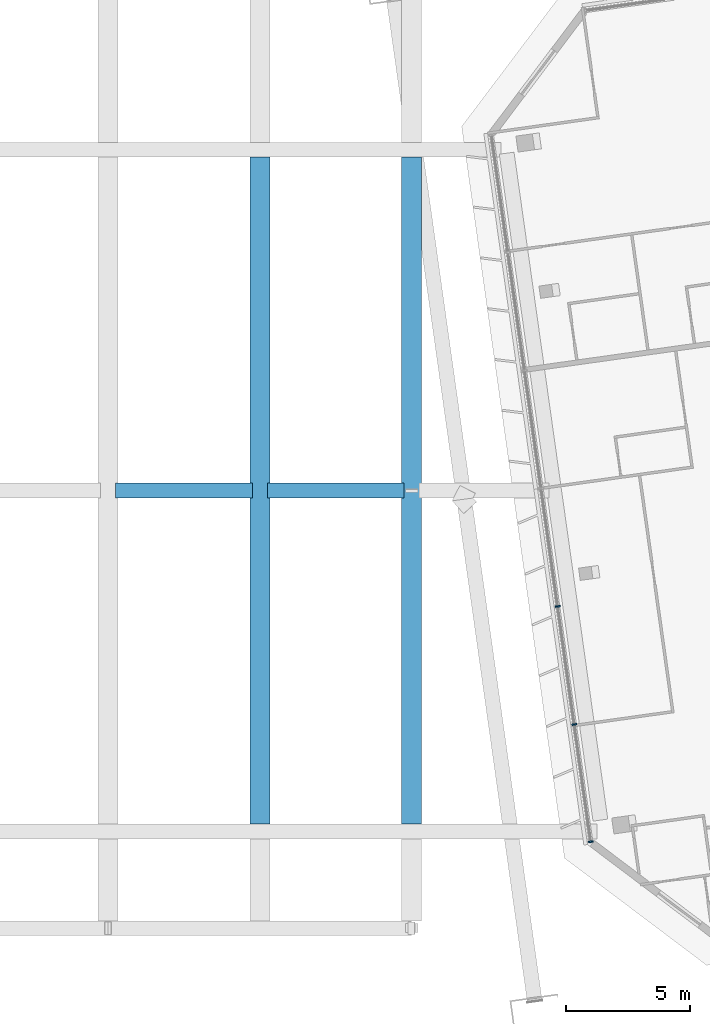
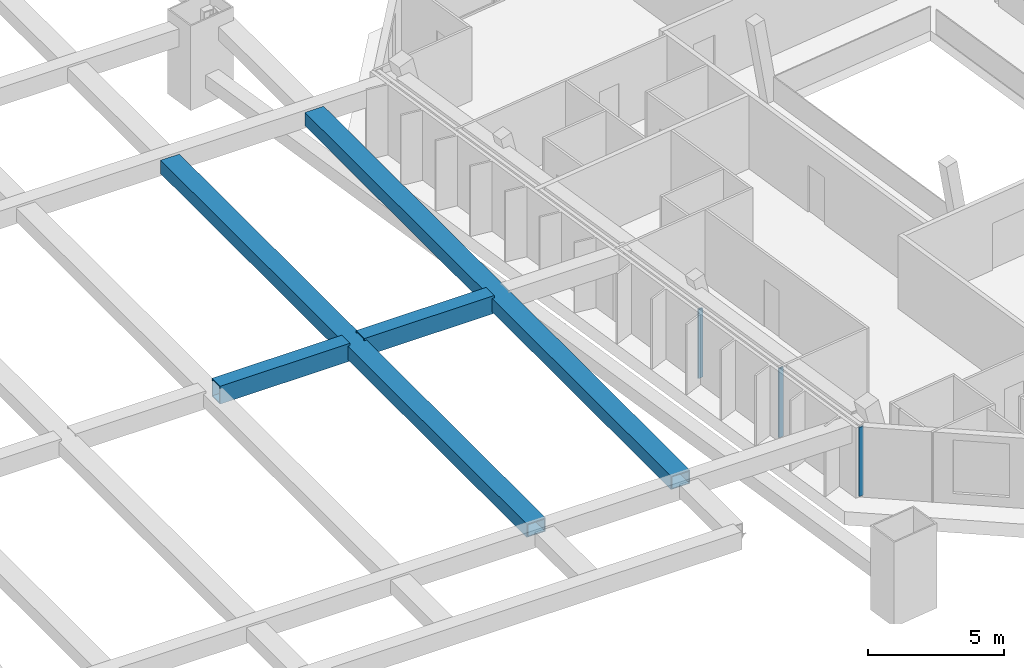
# One storey, part 12 of 36: 7 members, 1 element without a shape of its own.
"""IFC4 building model written with IfcOpenShell, lengths in metres."""

from ifc_helpers import new_model, si_unit, direction, frame, origin, origin_2d, place, context, subcontext, project, spatial, rectangle, hollow_rectangle, extrude, material, material_profile, profile_set, type_object, element, aggregate, save


model = new_model("IFC4")

# Units and contexts
model_context = context("Model", 3, precision=1e-05, world=origin(), true_north=direction((0.0, 1.0)))
body_context = subcontext(model_context, "Body", "Model", "MODEL_VIEW")
ifc_project = project(units=[si_unit("LENGTHUNIT", "METRE"), si_unit("AREAUNIT", "SQUARE_METRE"), si_unit("VOLUMEUNIT", "CUBIC_METRE"), si_unit("PLANEANGLEUNIT", "RADIAN"), si_unit("MASSUNIT", "GRAM", prefix="KILO")], contexts=[model_context])

# Site, building, storey
site_placement = place(None, origin())
site = spatial("IfcSite", under=ifc_project, at=site_placement, CompositionType="ELEMENT")
building_placement = place(site_placement, origin())
building = spatial("IfcBuilding", under=site, at=building_placement, Name="Mirante Cascada Hotel Towers", CompositionType="ELEMENT")
storey_placement = place(building_placement, frame((0.0, 0.0, 254.6)))
storey = spatial("IfcBuildingStorey", under=building, at=storey_placement, Name="L61", CompositionType="ELEMENT", Elevation=254.6)

# Members
ifc_material_1 = material(Name="Steel ASTM A572 Gr 50", Category="steel")
ifc_material_profile_1 = material_profile(ifc_material_1, hollow_rectangle(XDim=0.6, YDim=0.8, WallThickness=0.04, at=origin_2d()), Name="Box chord 800x600x40 ASTM A572 Gr 50")
ifc_profile_set_1 = profile_set([ifc_material_profile_1], Name="Steel ASTM A572 Gr 50")
member_type_1 = type_object("IfcMemberType", Name="Box chord 800x600x40 ASTM A572 Gr 50", PredefinedType="CHORD", material=ifc_profile_set_1)
for number, where, z_axis, x_axis, name in (
    (1, (6.1257, -17.3153, 2.9), (0.0, 1.0, 0.0), (0.0, 0.0, 1.0), "dchord sky park L62 14"),
    (2, (12.2514, -17.3153, 2.9), (0.0, 1.0, 0.0), (0.0, 0.0, 1.0), "dchord sky park L62 18"),
):
    element("IfcMember", number, at=place(storey_placement, frame(where, z_axis=z_axis, x_axis=x_axis)), inside=storey, type_object=member_type_1, Name=name, PredefinedType="CHORD", context=body_context, shape_type="SweptSolid", body=[
        extrude(hollow_rectangle(XDim=0.6, YDim=0.8, WallThickness=0.04, at=origin_2d()), origin(), (0.0, 0.0, 1.0), 26.9295),
    ])
for number, where, z_axis, x_axis, name in (
    (3, (0.3, -3.8505, 2.9), (1.0, 0.0, 0.0), (0.0, 1.0, 0.0), "dchord sky park L62 25"),
    (4, (6.4257, -3.8505, 2.9), (1.0, 0.0, 0.0), (0.0, 1.0, 0.0), "dchord sky park L62 26"),
):
    element("IfcMember", number, at=place(storey_placement, frame(where, z_axis=z_axis, x_axis=x_axis)), inside=storey, type_object=member_type_1, Name=name, PredefinedType="CHORD", context=body_context, shape_type="SweptSolid", body=[
        extrude(hollow_rectangle(XDim=0.6, YDim=0.8, WallThickness=0.04, at=origin_2d()), origin(), (0.0, 0.0, 1.0), 5.5257),
    ])

# Curtain wall, members
ifc_material_2 = material(Name="Aluminium mullion and transom frame with clear laminated glass", Category="aluminium")
curtain_wall_type = type_object("IfcCurtainWallType", Name="End ribbon curtain wall ECW2", PredefinedType="NOTDEFINED", material=ifc_material_2)
curtain_wall_placement = place(storey_placement, origin())
curtain_wall = element("IfcCurtainWall", 5, at=curtain_wall_placement, inside=storey, type_object=curtain_wall_type, Name="Inner end wall T2 L61", PredefinedType="NOTDEFINED")
ifc_material_3 = material(Name="Anodised aluminium extrusion", Category="aluminium")
ifc_material_profile_2 = material_profile(ifc_material_3, rectangle(XDim=0.2, YDim=0.065, at=origin_2d()), Name="ECW2 MULLION 65x200")
ifc_profile_set_2 = profile_set([ifc_material_profile_2], Name="Anodised aluminium extrusion")
member_type_2 = type_object("IfcMemberType", Name="ECW2 mullion 65x200", PredefinedType="MULLION", material=ifc_profile_set_2)
member_1_placement = place(storey_placement, frame((18.1549, -8.5246, 0.1), z_axis=(0.0, 0.0, 1.0), x_axis=(0.9902681, 0.1391731, 0.0)))
member_1 = element("IfcMember", 6, at=member_1_placement, type_object=member_type_2, Name="ECW2 mullion 5", PredefinedType="MULLION", context=body_context, shape_type="SweptSolid", body=[
    extrude(rectangle(XDim=0.2, YDim=0.065, at=origin_2d()), origin(), (0.0, 0.0, 1.0), 3.1),
])
member_2_placement = place(storey_placement, frame((18.8247, -13.2904, 0.1), z_axis=(0.0, 0.0, 1.0), x_axis=(0.9902681, 0.1391731, 0.0)))
member_2 = element("IfcMember", 7, at=member_2_placement, type_object=member_type_2, Name="ECW2 mullion 6", PredefinedType="MULLION", context=body_context, shape_type="SweptSolid", body=[
    extrude(rectangle(XDim=0.2, YDim=0.065, at=origin_2d()), origin(), (0.0, 0.0, 1.0), 3.1),
])
member_3_placement = place(storey_placement, frame((19.49, -18.024, 0.1), z_axis=(0.0, 0.0, 1.0), x_axis=(0.9902681, 0.1391731, 0.0)))
member_3 = element("IfcMember", 8, at=member_3_placement, type_object=member_type_2, Name="ECW2 mullion 7", PredefinedType="MULLION", context=body_context, shape_type="SweptSolid", body=[
    extrude(rectangle(XDim=0.2, YDim=0.065, at=origin_2d()), origin(), (0.0, 0.0, 1.0), 3.1),
])
aggregate(curtain_wall, [member_1, member_2, member_3])

save(model, "model.ifc")
